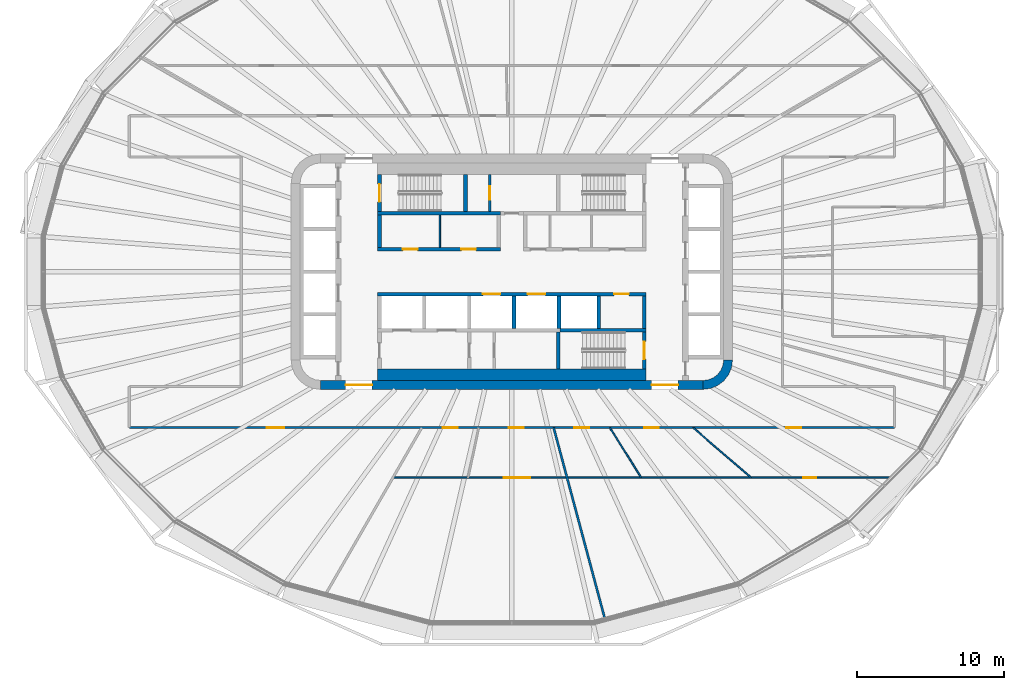
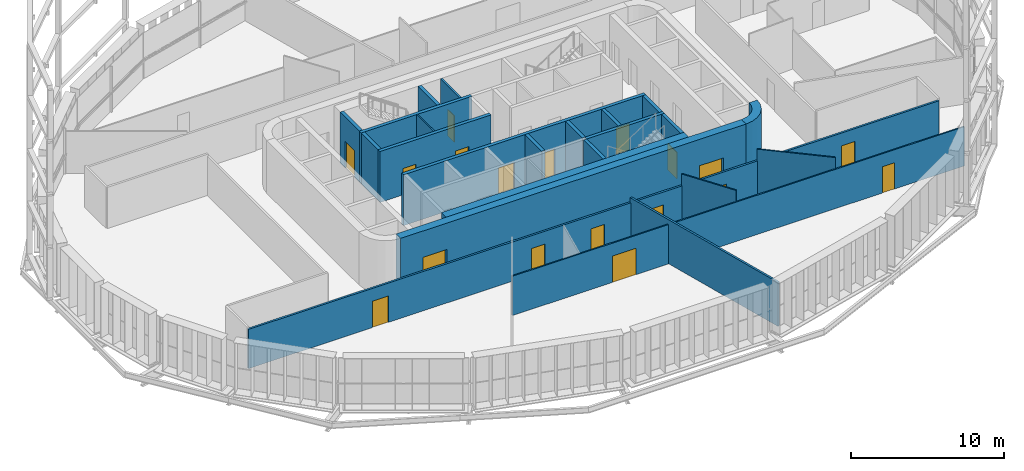
# One storey, part 15 of 26: 23 walls, 18 doors, 18 openings.
"""IFC4 building model written with IfcOpenShell, lengths in metres."""

from ifc_helpers import new_model, si_unit, direction, frame, frame_2d, origin, place, context, subcontext, project, spatial, polyline, rectangle, outline, extrude, material, layer, layer_set, type_object, element, fill, save


model = new_model("IFC4")

# Units and contexts
model_context = context("Model", 3, precision=1e-05, world=origin(), true_north=direction((0.0, 1.0)))
body_context = subcontext(model_context, "Body", "Model", "MODEL_VIEW")
ifc_project = project(units=[si_unit("LENGTHUNIT", "METRE"), si_unit("AREAUNIT", "SQUARE_METRE"), si_unit("VOLUMEUNIT", "CUBIC_METRE"), si_unit("PLANEANGLEUNIT", "RADIAN"), si_unit("MASSUNIT", "GRAM", prefix="KILO")], contexts=[model_context])

# Site, building, storey
site_placement = place(None, origin())
site = spatial("IfcSite", under=ifc_project, at=site_placement, CompositionType="ELEMENT")
building_placement = place(site_placement, origin())
building = spatial("IfcBuilding", under=site, at=building_placement, Name="Sahrelin Media Tower", CompositionType="ELEMENT")
storey_placement = place(building_placement, frame((0.0, 0.0, 102.0)))
storey = spatial("IfcBuildingStorey", under=building, at=storey_placement, Name="L19", CompositionType="ELEMENT", Elevation=102.0)

# Wall, openings, doors
ifc_material_1 = material(Name="Concrete C60/75", Category="concrete")
ifc_layer_1 = layer(ifc_material_1, 0.60009765625)
ifc_layer_set_1 = layer_set([ifc_layer_1], Name="Core wall 600")
wall_type_1 = type_object("IfcWallType", Name="Core wall 600", PredefinedType="SHEAR", material=ifc_layer_set_1)
wall_1_placement = place(storey_placement, frame((-13.0, -7.699951171875, 0.0), z_axis=(0.0, 0.0, 1.0), x_axis=(1.0, 0.0, 0.0)))
wall_1 = element("IfcWall", 1, at=wall_1_placement, inside=storey, type_object=wall_type_1, Name="Core wall S L19", PredefinedType="SHEAR", context=body_context, shape_type="SweptSolid", body=[
    extrude(rectangle(XDim=26.0, YDim=0.60009765625, at=frame_2d((13.0, 0.0))), origin(), (0.0, 0.0, 1.0), 4.199951171875),
])
opening_1_placement = place(wall_1_placement, frame((1.699951171875, 0.0, 0.0)))
opening_1 = element("IfcOpeningElement", 2, at=opening_1_placement, cuts=wall_1, Name="Opening L19-D21", PredefinedType="OPENING", context=body_context, shape_type="SweptSolid", body=[
    extrude(rectangle(XDim=1.800048828125, YDim=2.10009765625, at=frame_2d((0.89990234375, 1.050048828125))), frame((0.0, 0.300048828125, 0.0), z_axis=(0.0, -1.0, 0.0), x_axis=(1.0, 0.0, 0.0)), (0.0, 0.0, 1.0), 0.60009765625),
])
opening_2_placement = place(wall_1_placement, frame((22.5, 0.0, 0.0)))
opening_2 = element("IfcOpeningElement", 3, at=opening_2_placement, cuts=wall_1, Name="Opening L19-D22", PredefinedType="OPENING", context=body_context, shape_type="SweptSolid", body=[
    extrude(rectangle(XDim=1.800048828125, YDim=2.10009765625, at=frame_2d((0.89990234375, 1.050048828125))), frame((0.0, 0.300048828125, 0.0), z_axis=(0.0, -1.0, 0.0), x_axis=(1.0, 0.0, 0.0)), (0.0, 0.0, 1.0), 0.60009765625),
])
ifc_material_2 = material(Name="Steel fire door leaf", Category="steel")
door_type_1 = type_object("IfcDoorType", Name="Lobby double door 1800 x 2100 EI 60", OperationType="DOUBLE_DOOR_SINGLE_SWING", PredefinedType="DOOR", material=ifc_material_2)
door_1_placement = place(opening_1_placement, origin())
door_1 = element("IfcDoor", 4, at=door_1_placement, inside=storey, type_object=door_type_1, Name="Lobby door", OperationType="DOUBLE_DOOR_SINGLE_SWING", OverallHeight=2.10009765625, OverallWidth=1.800048828125, PredefinedType="DOOR", context=body_context, shape_type="SweptSolid", body=[
    extrude(rectangle(XDim=1.800048828125, YDim=2.10009765625, at=frame_2d((0.89990234375, 1.050048828125))), frame((0.0, 0.02490234375, 0.0), z_axis=(0.0, -1.0, 0.0), x_axis=(1.0, 0.0, 0.0)), (0.0, 0.0, 1.0), 0.050048828125),
])
fill(opening_1, door_1)
door_2_placement = place(opening_2_placement, origin())
door_2 = element("IfcDoor", 5, at=door_2_placement, inside=storey, type_object=door_type_1, Name="Lobby door", OperationType="DOUBLE_DOOR_SINGLE_SWING", OverallHeight=2.10009765625, OverallWidth=1.800048828125, PredefinedType="DOOR", context=body_context, shape_type="SweptSolid", body=[
    extrude(rectangle(XDim=1.800048828125, YDim=2.10009765625, at=frame_2d((0.89990234375, 1.050048828125))), frame((0.0, 0.02490234375, 0.0), z_axis=(0.0, -1.0, 0.0), x_axis=(1.0, 0.0, 0.0)), (0.0, 0.0, 1.0), 0.050048828125),
])
fill(opening_2, door_2)

# Wall
wall_2_placement = place(storey_placement, origin())
element("IfcWall", 6, at=wall_2_placement, inside=storey, type_object=wall_type_1, Name="Core wall corner SE L19", PredefinedType="SHEAR", context=body_context, shape_type="SweptSolid", body=[
    extrude(outline(polyline([(15.0, -6.0), (14.394775390625, -6.0), (14.347412109375, -6.361083984375), (14.2080078125, -6.697509765625), (13.986328125, -6.986328125), (13.697509765625, -7.2080078125), (13.361083984375, -7.347412109375), (13.0, -7.394775390625), (13.0, -8.0), (13.517578125, -7.931884765625), (14.0, -7.732177734375), (14.414306640625, -7.414306640625), (14.732177734375, -7.0), (14.931884765625, -6.517578125), (15.0, -6.0)])), origin(), (0.0, 0.0, 1.0), 4.199951171875),
])

# Wall, openings, doors
ifc_material_3 = material(Name="Fire-rated gypsum board partition")
ifc_layer_2 = layer(ifc_material_3, 0.25)
ifc_layer_set_2 = layer_set([ifc_layer_2], Name="Fire-rated lobby wall 250")
wall_type_2 = type_object("IfcWallType", Name="Fire-rated lobby wall 250", PredefinedType="PARTITIONING", material=ifc_layer_set_2)
wall_3_placement = place(storey_placement, frame((-9.125, 1.52490234375, 0.0), z_axis=(0.0, 0.0, 1.0), x_axis=(1.0, 0.0, 0.0)))
wall_3 = element("IfcWall", 7, at=wall_3_placement, inside=storey, type_object=wall_type_2, Name="Core lobby wall", PredefinedType="PARTITIONING", context=body_context, shape_type="SweptSolid", body=[
    extrude(rectangle(XDim=8.35009765625, YDim=0.25, at=frame_2d((4.175048828125, 0.0))), origin(), (0.0, 0.0, 1.0), 4.050048828125),
])
opening_3_placement = place(wall_3_placement, frame((1.71240234375, 0.0, 0.0)))
opening_3 = element("IfcOpeningElement", 8, at=opening_3_placement, cuts=wall_3, Name="Opening L19-D09", PredefinedType="OPENING", context=body_context, shape_type="SweptSolid", body=[
    extrude(rectangle(XDim=1.0, YDim=2.10009765625, at=frame_2d((0.5, 1.050048828125))), frame((0.0, 0.125, 0.0), z_axis=(0.0, -1.0, 0.0), x_axis=(1.0, 0.0, 0.0)), (0.0, 0.0, 1.0), 0.25),
])
opening_4_placement = place(wall_3_placement, frame((5.6875, 0.0, 0.0)))
opening_4 = element("IfcOpeningElement", 9, at=opening_4_placement, cuts=wall_3, Name="Opening L19-D10", PredefinedType="OPENING", context=body_context, shape_type="SweptSolid", body=[
    extrude(rectangle(XDim=1.0, YDim=2.10009765625, at=frame_2d((0.5, 1.050048828125))), frame((0.0, 0.125, 0.0), z_axis=(0.0, -1.0, 0.0), x_axis=(1.0, 0.0, 0.0)), (0.0, 0.0, 1.0), 0.25),
])
door_type_2 = type_object("IfcDoorType", Name="Fire door 1000 x 2100 EI 60", OperationType="NOTDEFINED", PredefinedType="DOOR", material=ifc_material_2)
door_3_placement = place(opening_3_placement, origin())
door_3 = element("IfcDoor", 10, at=door_3_placement, inside=storey, type_object=door_type_2, Name="Core room door", OperationType="SINGLE_SWING_LEFT", OverallHeight=2.10009765625, OverallWidth=1.0, PredefinedType="DOOR", context=body_context, shape_type="SweptSolid", body=[
    extrude(rectangle(XDim=1.0, YDim=2.10009765625, at=frame_2d((0.5, 1.050048828125))), frame((0.0, 0.02490234375, 0.0), z_axis=(0.0, -1.0, 0.0), x_axis=(1.0, 0.0, 0.0)), (0.0, 0.0, 1.0), 0.050048828125),
])
fill(opening_3, door_3)
door_4_placement = place(opening_4_placement, origin())
door_4 = element("IfcDoor", 11, at=door_4_placement, inside=storey, type_object=door_type_2, Name="Core room door", OperationType="SINGLE_SWING_LEFT", OverallHeight=2.10009765625, OverallWidth=1.0, PredefinedType="DOOR", context=body_context, shape_type="SweptSolid", body=[
    extrude(rectangle(XDim=1.0, YDim=2.10009765625, at=frame_2d((0.5, 1.050048828125))), frame((0.0, 0.02490234375, 0.0), z_axis=(0.0, -1.0, 0.0), x_axis=(1.0, 0.0, 0.0)), (0.0, 0.0, 1.0), 0.050048828125),
])
fill(opening_4, door_4)

# Walls
wall_4_placement = place(storey_placement, frame((-9.0, 1.64990234375, 0.0), z_axis=(0.0, 0.0, 1.0), x_axis=(0.0, 1.0, 0.0)))
element("IfcWall", 12, at=wall_4_placement, inside=storey, type_object=wall_type_2, Name="Core lobby wall", PredefinedType="PARTITIONING", context=body_context, shape_type="SweptSolid", body=[
    extrude(rectangle(XDim=2.2001953125, YDim=0.25, at=frame_2d((1.10009765625, 0.0))), origin(), (0.0, 0.0, 1.0), 4.050048828125),
])
ifc_layer_3 = layer(ifc_material_3, 0.10009765625)
ifc_layer_set_3 = layer_set([ifc_layer_3], Name="Fire-rated partition 100")
wall_type_3 = type_object("IfcWallType", Name="Fire-rated partition 100", PredefinedType="PARTITIONING", material=ifc_layer_set_3)
wall_5_placement = place(storey_placement, frame((-4.89990234375, 1.64990234375, 0.0), z_axis=(0.0, 0.0, 1.0), x_axis=(0.0, 1.0, 0.0)))
element("IfcWall", 13, at=wall_5_placement, inside=storey, type_object=wall_type_3, Name="Core room partition", PredefinedType="PARTITIONING", context=body_context, shape_type="SweptSolid", body=[
    extrude(rectangle(XDim=2.2001953125, YDim=0.10009765625, at=frame_2d((1.10009765625, 0.0))), origin(), (0.0, 0.0, 1.0), 4.050048828125),
])

# Wall, opening, door
ifc_layer_4 = layer(ifc_material_3, 0.14990234375)
ifc_layer_set_4 = layer_set([ifc_layer_4], Name="Fire-rated partition 150")
wall_type_4 = type_object("IfcWallType", Name="Fire-rated partition 150", PredefinedType="PARTITIONING", material=ifc_layer_set_4)
wall_6_placement = place(storey_placement, frame((-1.5, 4.10009765625, 0.0), z_axis=(0.0, 0.0, 1.0), x_axis=(0.0, 1.0, 0.0)))
wall_6 = element("IfcWall", 14, at=wall_6_placement, inside=storey, type_object=wall_type_4, Name="Core room fire partition", PredefinedType="PARTITIONING", context=body_context, shape_type="SweptSolid", body=[
    extrude(rectangle(XDim=2.5, YDim=0.14990234375, at=frame_2d((1.25, 0.0))), origin(), (0.0, 0.0, 1.0), 4.050048828125),
])
opening_5_placement = place(wall_6_placement, frame((0.800048828125, 0.0, 0.0)))
opening_5 = element("IfcOpeningElement", 15, at=opening_5_placement, cuts=wall_6, Name="Opening L19-D07", PredefinedType="OPENING", context=body_context, shape_type="SweptSolid", body=[
    extrude(rectangle(XDim=0.89990234375, YDim=2.10009765625, at=frame_2d((0.449951171875, 1.050048828125))), frame((0.0, 0.074951171875, 0.0), z_axis=(0.0, -1.0, 0.0), x_axis=(1.0, 0.0, 0.0)), (0.0, 0.0, 1.0), 0.14990234375),
])
door_type_3 = type_object("IfcDoorType", Name="Fire door 900 x 2100 EI 60", OperationType="NOTDEFINED", PredefinedType="DOOR", material=ifc_material_2)
door_5_placement = place(opening_5_placement, origin())
door_5 = element("IfcDoor", 16, at=door_5_placement, inside=storey, type_object=door_type_3, Name="Core room door", OperationType="SINGLE_SWING_LEFT", OverallHeight=2.10009765625, OverallWidth=0.89990234375, PredefinedType="DOOR", context=body_context, shape_type="SweptSolid", body=[
    extrude(rectangle(XDim=0.89990234375, YDim=2.10009765625, at=frame_2d((0.449951171875, 1.050048828125))), frame((0.0, 0.02490234375, 0.0), z_axis=(0.0, -1.0, 0.0), x_axis=(1.0, 0.0, 0.0)), (0.0, 0.0, 1.0), 0.050048828125),
])
fill(opening_5, door_5)

# Wall
wall_7_placement = place(storey_placement, frame((2.840087890625, -10.60009765625, 0.0), z_axis=(0.0, 0.0, 1.0), x_axis=(0.258826294763, -0.965923883719, 0.0)))
element("IfcWall", 17, at=wall_7_placement, inside=storey, type_object=wall_type_4, Name="Wall", PredefinedType="PARTITIONING", context=body_context, shape_type="SweptSolid", body=[
    extrude(rectangle(XDim=13.617919921875, YDim=0.14990234375, at=frame_2d((6.80908203125, 0.0))), origin(), (0.0, 0.0, 1.0), 3.501708984375),
])

# Wall, openings, doors
wall_8_placement = place(storey_placement, frame((-26.0, -10.60009765625, 0.0), z_axis=(0.0, 0.0, 1.0), x_axis=(1.0, 0.0, 0.0)))
wall_8 = element("IfcWall", 18, at=wall_8_placement, inside=storey, type_object=wall_type_4, Name="Wall", PredefinedType="PARTITIONING", context=body_context, shape_type="SweptSolid", body=[
    extrude(rectangle(XDim=52.0, YDim=0.14990234375, at=frame_2d((26.0, 0.0))), origin(), (0.0, 0.0, 1.0), 3.126953125),
])
opening_6_placement = place(wall_8_placement, frame((9.340087890625, 0.0, 0.0)))
opening_6 = element("IfcOpeningElement", 19, at=opening_6_placement, cuts=wall_8, Name="Opening L19-D30", PredefinedType="OPENING", context=body_context, shape_type="SweptSolid", body=[
    extrude(rectangle(XDim=1.199951171875, YDim=2.10009765625, at=frame_2d((0.60009765625, 1.050048828125))), frame((0.0, 0.074951171875, 0.0), z_axis=(0.0, -1.0, 0.0), x_axis=(1.0, 0.0, 0.0)), (0.0, 0.0, 1.0), 0.14990234375),
])
opening_7_placement = place(wall_8_placement, frame((21.3134765625, 0.0, 0.0)))
opening_7 = element("IfcOpeningElement", 20, at=opening_7_placement, cuts=wall_8, Name="Opening L19-D31", PredefinedType="OPENING", context=body_context, shape_type="SweptSolid", body=[
    extrude(rectangle(XDim=1.0, YDim=2.10009765625, at=frame_2d((0.5, 1.050048828125))), frame((0.0, 0.074951171875, 0.0), z_axis=(0.0, -1.0, 0.0), x_axis=(1.0, 0.0, 0.0)), (0.0, 0.0, 1.0), 0.14990234375),
])
opening_8_placement = place(wall_8_placement, frame((25.79345703125, 0.0, 0.0)))
opening_8 = element("IfcOpeningElement", 21, at=opening_8_placement, cuts=wall_8, Name="Opening L19-D32", PredefinedType="OPENING", context=body_context, shape_type="SweptSolid", body=[
    extrude(rectangle(XDim=1.0, YDim=2.10009765625, at=frame_2d((0.5, 1.050048828125))), frame((0.0, 0.074951171875, 0.0), z_axis=(0.0, -1.0, 0.0), x_axis=(1.0, 0.0, 0.0)), (0.0, 0.0, 1.0), 0.14990234375),
])
opening_9_placement = place(wall_8_placement, frame((30.25, 0.0, 0.0)))
opening_9 = element("IfcOpeningElement", 22, at=opening_9_placement, cuts=wall_8, Name="Opening L19-D34", PredefinedType="OPENING", context=body_context, shape_type="SweptSolid", body=[
    extrude(rectangle(XDim=1.0, YDim=2.10009765625, at=frame_2d((0.5, 1.050048828125))), frame((0.0, 0.074951171875, 0.0), z_axis=(0.0, -1.0, 0.0), x_axis=(1.0, 0.0, 0.0)), (0.0, 0.0, 1.0), 0.14990234375),
])
opening_10_placement = place(wall_8_placement, frame((34.988525390625, 0.0, 0.0)))
opening_10 = element("IfcOpeningElement", 23, at=opening_10_placement, cuts=wall_8, Name="Opening L19-D35", PredefinedType="OPENING", context=body_context, shape_type="SweptSolid", body=[
    extrude(rectangle(XDim=1.0, YDim=2.10009765625, at=frame_2d((0.5, 1.050048828125))), frame((0.0, 0.074951171875, 0.0), z_axis=(0.0, -1.0, 0.0), x_axis=(1.0, 0.0, 0.0)), (0.0, 0.0, 1.0), 0.14990234375),
])
opening_11_placement = place(wall_8_placement, frame((44.658447265625, 0.0, 0.0)))
opening_11 = element("IfcOpeningElement", 24, at=opening_11_placement, cuts=wall_8, Name="Opening L19-D36", PredefinedType="OPENING", context=body_context, shape_type="SweptSolid", body=[
    extrude(rectangle(XDim=1.0, YDim=2.10009765625, at=frame_2d((0.5, 1.050048828125))), frame((0.0, 0.074951171875, 0.0), z_axis=(0.0, -1.0, 0.0), x_axis=(1.0, 0.0, 0.0)), (0.0, 0.0, 1.0), 0.14990234375),
])
door_6_placement = place(opening_7_placement, origin())
door_6 = element("IfcDoor", 25, at=door_6_placement, inside=storey, type_object=door_type_2, Name="Fire door", OperationType="SINGLE_SWING_RIGHT", OverallHeight=2.10009765625, OverallWidth=1.0, PredefinedType="DOOR", context=body_context, shape_type="SweptSolid", body=[
    extrude(rectangle(XDim=1.0, YDim=2.10009765625, at=frame_2d((0.5, 1.050048828125))), frame((0.0, 0.02490234375, 0.0), z_axis=(0.0, -1.0, 0.0), x_axis=(1.0, 0.0, 0.0)), (0.0, 0.0, 1.0), 0.050048828125),
])
fill(opening_7, door_6)
door_7_placement = place(opening_8_placement, origin())
door_7 = element("IfcDoor", 26, at=door_7_placement, inside=storey, type_object=door_type_2, Name="Fire door", OperationType="SINGLE_SWING_RIGHT", OverallHeight=2.10009765625, OverallWidth=1.0, PredefinedType="DOOR", context=body_context, shape_type="SweptSolid", body=[
    extrude(rectangle(XDim=1.0, YDim=2.10009765625, at=frame_2d((0.5, 1.050048828125))), frame((0.0, 0.02490234375, 0.0), z_axis=(0.0, -1.0, 0.0), x_axis=(1.0, 0.0, 0.0)), (0.0, 0.0, 1.0), 0.050048828125),
])
fill(opening_8, door_7)
door_8_placement = place(opening_9_placement, origin())
door_8 = element("IfcDoor", 27, at=door_8_placement, inside=storey, type_object=door_type_2, Name="Fire door", OperationType="SINGLE_SWING_RIGHT", OverallHeight=2.10009765625, OverallWidth=1.0, PredefinedType="DOOR", context=body_context, shape_type="SweptSolid", body=[
    extrude(rectangle(XDim=1.0, YDim=2.10009765625, at=frame_2d((0.5, 1.050048828125))), frame((0.0, 0.02490234375, 0.0), z_axis=(0.0, -1.0, 0.0), x_axis=(1.0, 0.0, 0.0)), (0.0, 0.0, 1.0), 0.050048828125),
])
fill(opening_9, door_8)
door_9_placement = place(opening_10_placement, origin())
door_9 = element("IfcDoor", 28, at=door_9_placement, inside=storey, type_object=door_type_2, Name="Fire door", OperationType="SINGLE_SWING_LEFT", OverallHeight=2.10009765625, OverallWidth=1.0, PredefinedType="DOOR", context=body_context, shape_type="SweptSolid", body=[
    extrude(rectangle(XDim=1.0, YDim=2.10009765625, at=frame_2d((0.5, 1.050048828125))), frame((0.0, 0.02490234375, 0.0), z_axis=(0.0, -1.0, 0.0), x_axis=(1.0, 0.0, 0.0)), (0.0, 0.0, 1.0), 0.050048828125),
])
fill(opening_10, door_9)
door_10_placement = place(opening_11_placement, origin())
door_10 = element("IfcDoor", 29, at=door_10_placement, inside=storey, type_object=door_type_2, Name="Fire door", OperationType="SINGLE_SWING_RIGHT", OverallHeight=2.10009765625, OverallWidth=1.0, PredefinedType="DOOR", context=body_context, shape_type="SweptSolid", body=[
    extrude(rectangle(XDim=1.0, YDim=2.10009765625, at=frame_2d((0.5, 1.050048828125))), frame((0.0, 0.02490234375, 0.0), z_axis=(0.0, -1.0, 0.0), x_axis=(1.0, 0.0, 0.0)), (0.0, 0.0, 1.0), 0.050048828125),
])
fill(opening_11, door_10)
door_type_4 = type_object("IfcDoorType", Name="Service double door 1200 x 2100 EI 60", OperationType="DOUBLE_DOOR_SINGLE_SWING", PredefinedType="DOOR", material=ifc_material_2)
door_11_placement = place(opening_6_placement, origin())
door_11 = element("IfcDoor", 30, at=door_11_placement, inside=storey, type_object=door_type_4, Name="Service double door", OperationType="DOUBLE_DOOR_SINGLE_SWING", OverallHeight=2.10009765625, OverallWidth=1.199951171875, PredefinedType="DOOR", context=body_context, shape_type="SweptSolid", body=[
    extrude(rectangle(XDim=1.199951171875, YDim=2.10009765625, at=frame_2d((0.60009765625, 1.050048828125))), frame((0.0, 0.02490234375, 0.0), z_axis=(0.0, -1.0, 0.0), x_axis=(1.0, 0.0, 0.0)), (0.0, 0.0, 1.0), 0.050048828125),
])
fill(opening_6, door_11)

ifc_layer_5 = layer(ifc_material_1, 0.25)
ifc_layer_set_5 = layer_set([ifc_layer_5], Name="Lift shaft wall 250")
wall_type_5 = type_object("IfcWallType", Name="Lift shaft wall 250", PredefinedType="SOLIDWALL", material=ifc_layer_set_5)
wall_9_placement = place(storey_placement, frame((-9.125, -1.52490234375, 0.0), z_axis=(0.0, 0.0, 1.0), x_axis=(1.0, 0.0, 0.0)))
wall_9 = element("IfcWall", 31, at=wall_9_placement, inside=storey, type_object=wall_type_5, Name="Lift shaft wall", PredefinedType="SOLIDWALL", context=body_context, shape_type="SweptSolid", body=[
    extrude(rectangle(XDim=18.25, YDim=0.25, at=frame_2d((9.125, 0.0))), origin(), (0.0, 0.0, 1.0), 4.050048828125),
])
opening_12_placement = place(wall_9_placement, frame((7.14990234375, 0.0, 0.0)))
opening_12 = element("IfcOpeningElement", 32, at=opening_12_placement, cuts=wall_9, Name="Opening L19-LD-SV1", PredefinedType="OPENING", context=body_context, shape_type="SweptSolid", body=[
    extrude(rectangle(XDim=1.199951171875, YDim=2.10009765625, at=frame_2d((0.60009765625, 1.050048828125))), frame((0.0, 0.125, 0.0), z_axis=(0.0, -1.0, 0.0), x_axis=(1.0, 0.0, 0.0)), (0.0, 0.0, 1.0), 0.25),
])
opening_13_placement = place(wall_9_placement, frame((10.199951171875, 0.0, 0.0)))
opening_13 = element("IfcOpeningElement", 33, at=opening_13_placement, cuts=wall_9, Name="Opening L19-LD-SV2", PredefinedType="OPENING", context=body_context, shape_type="SweptSolid", body=[
    extrude(rectangle(XDim=1.199951171875, YDim=2.10009765625, at=frame_2d((0.60009765625, 1.050048828125))), frame((0.0, 0.125, 0.0), z_axis=(0.0, -1.0, 0.0), x_axis=(1.0, 0.0, 0.0)), (0.0, 0.0, 1.0), 0.25),
])
opening_14_placement = place(wall_9_placement, frame((16.074951171875, 0.0, 0.0)))
opening_14 = element("IfcOpeningElement", 34, at=opening_14_placement, cuts=wall_9, Name="Opening L19-D14", PredefinedType="OPENING", context=body_context, shape_type="SweptSolid", body=[
    extrude(rectangle(XDim=1.0, YDim=2.10009765625, at=frame_2d((0.5, 1.050048828125))), frame((0.0, 0.125, 0.0), z_axis=(0.0, -1.0, 0.0), x_axis=(1.0, 0.0, 0.0)), (0.0, 0.0, 1.0), 0.25),
])
door_12_placement = place(opening_14_placement, origin())
door_12 = element("IfcDoor", 35, at=door_12_placement, inside=storey, type_object=door_type_2, Name="Core room door", OperationType="SINGLE_SWING_RIGHT", OverallHeight=2.10009765625, OverallWidth=1.0, PredefinedType="DOOR", context=body_context, shape_type="SweptSolid", body=[
    extrude(rectangle(XDim=1.0, YDim=2.10009765625, at=frame_2d((0.5, 1.050048828125))), frame((0.0, 0.02490234375, 0.0), z_axis=(0.0, -1.0, 0.0), x_axis=(1.0, 0.0, 0.0)), (0.0, 0.0, 1.0), 0.050048828125),
])
fill(opening_14, door_12)
ifc_material_4 = material(Name="Stainless steel", Category="steel")
door_type_5 = type_object("IfcDoorType", Name="Lift landing door 1200 x 2100 EI 120", OperationType="DOUBLE_DOOR_SLIDING", PredefinedType="DOOR", material=ifc_material_4)
door_13_placement = place(opening_12_placement, origin())
door_13 = element("IfcDoor", 36, at=door_13_placement, inside=storey, type_object=door_type_5, Name="Lift landing door SV1", OperationType="DOUBLE_DOOR_SLIDING", OverallHeight=2.10009765625, OverallWidth=1.199951171875, PredefinedType="DOOR", context=body_context, shape_type="SweptSolid", body=[
    extrude(rectangle(XDim=1.199951171875, YDim=2.10009765625, at=frame_2d((0.60009765625, 1.050048828125))), frame((0.0, 0.02490234375, 0.0), z_axis=(0.0, -1.0, 0.0), x_axis=(1.0, 0.0, 0.0)), (0.0, 0.0, 1.0), 0.050048828125),
])
fill(opening_12, door_13)
door_14_placement = place(opening_13_placement, origin())
door_14 = element("IfcDoor", 37, at=door_14_placement, inside=storey, type_object=door_type_5, Name="Lift landing door SV2", OperationType="DOUBLE_DOOR_SLIDING", OverallHeight=2.10009765625, OverallWidth=1.199951171875, PredefinedType="DOOR", context=body_context, shape_type="SweptSolid", body=[
    extrude(rectangle(XDim=1.199951171875, YDim=2.10009765625, at=frame_2d((0.60009765625, 1.050048828125))), frame((0.0, 0.02490234375, 0.0), z_axis=(0.0, -1.0, 0.0), x_axis=(1.0, 0.0, 0.0)), (0.0, 0.0, 1.0), 0.050048828125),
])
fill(opening_13, door_14)

# Walls
wall_10_placement = place(storey_placement, frame((3.27490234375, -3.97509765625, 0.0), z_axis=(0.0, 0.0, 1.0), x_axis=(1.0, 0.0, 0.0)))
element("IfcWall", 38, at=wall_10_placement, inside=storey, type_object=wall_type_5, Name="Lift shaft wall", PredefinedType="SOLIDWALL", context=body_context, shape_type="SweptSolid", body=[
    extrude(rectangle(XDim=5.85009765625, YDim=0.25, at=frame_2d((2.925048828125, 0.0))), origin(), (0.0, 0.0, 1.0), 4.050048828125),
])
for number, where, z_axis, x_axis, name in (
    (39, (0.14990234375, -3.85009765625, 0.0), (0.0, 0.0, 1.0), (0.0, 1.0, 0.0), "Lift shaft wall"),
    (40, (3.199951171875, -3.85009765625, 0.0), (0.0, 0.0, 1.0), (0.0, 1.0, 0.0), "Lift shaft wall"),
    (41, (5.89990234375, -3.85009765625, 0.0), (0.0, 0.0, 1.0), (0.0, 1.0, 0.0), "Lift shaft wall"),
    (42, (9.0, -3.85009765625, 0.0), (0.0, 0.0, 1.0), (0.0, 1.0, 0.0), "Lift shaft wall"),
):
    element("IfcWall", number, at=place(storey_placement, frame(where, z_axis=z_axis, x_axis=x_axis)), inside=storey, type_object=wall_type_5, Name=name, PredefinedType="SOLIDWALL", context=body_context, shape_type="SweptSolid", body=[
        extrude(rectangle(XDim=2.2001953125, YDim=0.25, at=frame_2d((1.10009765625, 0.0))), origin(), (0.0, 0.0, 1.0), 4.050048828125),
    ])
ifc_material_5 = material(Name="Gypsum board partition")
ifc_layer_6 = layer(ifc_material_5, 0.10009765625)
ifc_layer_set_6 = layer_set([ifc_layer_6], Name="Partition 100")
wall_type_6 = type_object("IfcWallType", Name="Partition 100", PredefinedType="PARTITIONING", material=ifc_layer_set_6)
wall_11_placement = place(storey_placement, frame((6.659912109375, -10.60009765625, 0.0), z_axis=(0.0, 0.0, 1.0), x_axis=(0.532193956065, -0.846622461979, 0.0)))
element("IfcWall", 43, at=wall_11_placement, inside=storey, type_object=wall_type_6, Name="Wall", PredefinedType="PARTITIONING", context=body_context, shape_type="SweptSolid", body=[
    extrude(rectangle(XDim=4.015869140625, YDim=0.10009765625, at=frame_2d((2.0078125, 0.0))), origin(), (0.0, 0.0, 1.0), 4.050048828125),
])
wall_12_placement = place(storey_placement, frame((12.31689453125, -10.60009765625, 0.0), z_axis=(0.0, 0.0, 1.0), x_axis=(0.758005488553, -0.652248173109, 0.0)))
element("IfcWall", 44, at=wall_12_placement, inside=storey, type_object=wall_type_6, Name="Wall", PredefinedType="PARTITIONING", context=body_context, shape_type="SweptSolid", body=[
    extrude(rectangle(XDim=5.212646484375, YDim=0.10009765625, at=frame_2d((2.6064453125, 0.0))), origin(), (0.0, 0.0, 1.0), 4.050048828125),
])

# Wall, openings, doors
wall_13_placement = place(storey_placement, frame((-8.0830078125, -14.0, 0.0), z_axis=(0.0, 0.0, 1.0), x_axis=(1.0, 0.0, 0.0)))
wall_13 = element("IfcWall", 45, at=wall_13_placement, inside=storey, type_object=wall_type_6, Name="Wall", PredefinedType="PARTITIONING", context=body_context, shape_type="SweptSolid", body=[
    extrude(rectangle(XDim=34.02392578125, YDim=0.10009765625, at=frame_2d((17.011962890625, 0.0))), origin(), (0.0, 0.0, 1.0), 3.126953125),
])
opening_15_placement = place(wall_13_placement, frame((7.52001953125, 0.0, 0.0)))
opening_15 = element("IfcOpeningElement", 46, at=opening_15_placement, cuts=wall_13, Name="Opening L19-D33", PredefinedType="OPENING", context=body_context, shape_type="SweptSolid", body=[
    extrude(rectangle(XDim=1.800048828125, YDim=2.10009765625, at=frame_2d((0.89990234375, 1.050048828125))), frame((0.0, 0.050048828125, 0.0), z_axis=(0.0, -1.0, 0.0), x_axis=(1.0, 0.0, 0.0)), (0.0, 0.0, 1.0), 0.10009765625),
])
opening_16_placement = place(wall_13_placement, frame((27.879150390625, 0.0, 0.0)))
opening_16 = element("IfcOpeningElement", 47, at=opening_16_placement, cuts=wall_13, Name="Opening L19-D37", PredefinedType="OPENING", context=body_context, shape_type="SweptSolid", body=[
    extrude(rectangle(XDim=0.89990234375, YDim=2.10009765625, at=frame_2d((0.449951171875, 1.050048828125))), frame((0.0, 0.050048828125, 0.0), z_axis=(0.0, -1.0, 0.0), x_axis=(1.0, 0.0, 0.0)), (0.0, 0.0, 1.0), 0.10009765625),
])
ifc_material_6 = material(Name="Timber door leaf", Category="wood")
door_type_6 = type_object("IfcDoorType", Name="Double door 1800 x 2100", OperationType="DOUBLE_DOOR_SINGLE_SWING", PredefinedType="DOOR", material=ifc_material_6)
door_15_placement = place(opening_15_placement, origin())
door_15 = element("IfcDoor", 48, at=door_15_placement, inside=storey, type_object=door_type_6, Name="Double door", OperationType="DOUBLE_DOOR_SINGLE_SWING", OverallHeight=2.10009765625, OverallWidth=1.800048828125, PredefinedType="DOOR", context=body_context, shape_type="SweptSolid", body=[
    extrude(rectangle(XDim=1.800048828125, YDim=2.10009765625, at=frame_2d((0.89990234375, 1.050048828125))), frame((0.0, 0.02490234375, 0.0), z_axis=(0.0, -1.0, 0.0), x_axis=(1.0, 0.0, 0.0)), (0.0, 0.0, 1.0), 0.050048828125),
])
fill(opening_15, door_15)
door_type_7 = type_object("IfcDoorType", Name="Single door 900 x 2100", OperationType="NOTDEFINED", PredefinedType="DOOR", material=ifc_material_6)
door_16_placement = place(opening_16_placement, origin())
door_16 = element("IfcDoor", 49, at=door_16_placement, inside=storey, type_object=door_type_7, Name="Single door", OperationType="SINGLE_SWING_LEFT", OverallHeight=2.10009765625, OverallWidth=0.89990234375, PredefinedType="DOOR", context=body_context, shape_type="SweptSolid", body=[
    extrude(rectangle(XDim=0.89990234375, YDim=2.10009765625, at=frame_2d((0.449951171875, 1.050048828125))), frame((0.0, 0.02490234375, 0.0), z_axis=(0.0, -1.0, 0.0), x_axis=(1.0, 0.0, 0.0)), (0.0, 0.0, 1.0), 0.050048828125),
])
fill(opening_16, door_16)

# Wall, opening, door
ifc_layer_7 = layer(ifc_material_1, 0.25)
ifc_layer_set_7 = layer_set([ifc_layer_7], Name="Stair enclosure wall 250")
wall_type_7 = type_object("IfcWallType", Name="Stair enclosure wall 250", PredefinedType="SOLIDWALL", material=ifc_layer_set_7)
wall_14_placement = place(storey_placement, frame((-9.0, 4.10009765625, 0.0), z_axis=(0.0, 0.0, 1.0), x_axis=(0.0, 1.0, 0.0)))
wall_14 = element("IfcWall", 50, at=wall_14_placement, inside=storey, type_object=wall_type_7, Name="Stair enclosure wall", PredefinedType="SOLIDWALL", context=body_context, shape_type="SweptSolid", body=[
    extrude(rectangle(XDim=2.5, YDim=0.25, at=frame_2d((1.25, 0.0))), origin(), (0.0, 0.0, 1.0), 4.050048828125),
])
opening_17_placement = place(wall_14_placement, frame((0.64990234375, 0.0, 0.0)))
opening_17 = element("IfcOpeningElement", 51, at=opening_17_placement, cuts=wall_14, Name="Opening L19-D01", PredefinedType="OPENING", context=body_context, shape_type="SweptSolid", body=[
    extrude(rectangle(XDim=1.199951171875, YDim=2.10009765625, at=frame_2d((0.60009765625, 1.050048828125))), frame((0.0, 0.125, 0.0), z_axis=(0.0, -1.0, 0.0), x_axis=(1.0, 0.0, 0.0)), (0.0, 0.0, 1.0), 0.25),
])
door_type_8 = type_object("IfcDoorType", Name="Stair door 1200 x 2100 EI 120", OperationType="NOTDEFINED", PredefinedType="DOOR", material=ifc_material_2)
door_17_placement = place(opening_17_placement, origin())
door_17 = element("IfcDoor", 52, at=door_17_placement, inside=storey, type_object=door_type_8, Name="Stair door ST1", OperationType="SINGLE_SWING_RIGHT", OverallHeight=2.10009765625, OverallWidth=1.199951171875, PredefinedType="DOOR", context=body_context, shape_type="SweptSolid", body=[
    extrude(rectangle(XDim=1.199951171875, YDim=2.10009765625, at=frame_2d((0.60009765625, 1.050048828125))), frame((0.0, 0.02490234375, 0.0), z_axis=(0.0, -1.0, 0.0), x_axis=(1.0, 0.0, 0.0)), (0.0, 0.0, 1.0), 0.050048828125),
])
fill(opening_17, door_17)

wall_15_placement = place(storey_placement, frame((9.0, -6.60009765625, 0.0), z_axis=(0.0, 0.0, 1.0), x_axis=(0.0, 1.0, 0.0)))
wall_15 = element("IfcWall", 53, at=wall_15_placement, inside=storey, type_object=wall_type_7, Name="Stair enclosure wall", PredefinedType="SOLIDWALL", context=body_context, shape_type="SweptSolid", body=[
    extrude(rectangle(XDim=2.5, YDim=0.25, at=frame_2d((1.25, 0.0))), origin(), (0.0, 0.0, 1.0), 4.050048828125),
])
opening_18_placement = place(wall_15_placement, frame((0.64990234375, 0.0, 0.0)))
opening_18 = element("IfcOpeningElement", 54, at=opening_18_placement, cuts=wall_15, Name="Opening L19-D03", PredefinedType="OPENING", context=body_context, shape_type="SweptSolid", body=[
    extrude(rectangle(XDim=1.199951171875, YDim=2.10009765625, at=frame_2d((0.60009765625, 1.050048828125))), frame((0.0, 0.125, 0.0), z_axis=(0.0, -1.0, 0.0), x_axis=(1.0, 0.0, 0.0)), (0.0, 0.0, 1.0), 0.25),
])
door_18_placement = place(opening_18_placement, origin())
door_18 = element("IfcDoor", 55, at=door_18_placement, inside=storey, type_object=door_type_8, Name="Stair door ST2", OperationType="SINGLE_SWING_LEFT", OverallHeight=2.10009765625, OverallWidth=1.199951171875, PredefinedType="DOOR", context=body_context, shape_type="SweptSolid", body=[
    extrude(rectangle(XDim=1.199951171875, YDim=2.10009765625, at=frame_2d((0.60009765625, 1.050048828125))), frame((0.0, 0.02490234375, 0.0), z_axis=(0.0, -1.0, 0.0), x_axis=(1.0, 0.0, 0.0)), (0.0, 0.0, 1.0), 0.050048828125),
])
fill(opening_18, door_18)

# Walls
for number, where, z_axis, x_axis, name in (
    (56, (-3.14990234375, 4.10009765625, 0.0), (0.0, 0.0, 1.0), (0.0, 1.0, 0.0), "Stair enclosure wall"),
    (57, (3.14990234375, -6.60009765625, 0.0), (0.0, 0.0, 1.0), (0.0, 1.0, 0.0), "Stair enclosure wall"),
):
    element("IfcWall", number, at=place(storey_placement, frame(where, z_axis=z_axis, x_axis=x_axis)), inside=storey, type_object=wall_type_7, Name=name, PredefinedType="SOLIDWALL", context=body_context, shape_type="SweptSolid", body=[
        extrude(rectangle(XDim=2.5, YDim=0.25, at=frame_2d((1.25, 0.0))), origin(), (0.0, 0.0, 1.0), 4.050048828125),
    ])
wall_16_placement = place(storey_placement, frame((-9.125, 3.97509765625, 0.0), z_axis=(0.0, 0.0, 1.0), x_axis=(1.0, 0.0, 0.0)))
element("IfcWall", 58, at=wall_16_placement, inside=storey, type_object=wall_type_7, Name="Stair enclosure wall", PredefinedType="SOLIDWALL", context=body_context, shape_type="SweptSolid", body=[
    extrude(rectangle(XDim=8.35009765625, YDim=0.25, at=frame_2d((4.175048828125, 0.0))), origin(), (0.0, 0.0, 1.0), 4.050048828125),
])
ifc_layer_8 = layer(ifc_material_1, 0.800048828125)
ifc_layer_set_8 = layer_set([ifc_layer_8], Name="Stair enclosure wall 800")
wall_type_8 = type_object("IfcWallType", Name="Stair enclosure wall 800", PredefinedType="SOLIDWALL", material=ifc_layer_set_8)
wall_17_placement = place(storey_placement, frame((-9.125, -7.0, 0.0), z_axis=(0.0, 0.0, 1.0), x_axis=(1.0, 0.0, 0.0)))
element("IfcWall", 59, at=wall_17_placement, inside=storey, type_object=wall_type_8, Name="Stair enclosure wall", PredefinedType="SOLIDWALL", context=body_context, shape_type="SweptSolid", body=[
    extrude(rectangle(XDim=18.25, YDim=0.800048828125, at=frame_2d((9.125, 0.0))), origin(), (0.0, 0.0, 1.0), 4.050048828125),
])

save(model, "model.ifc")
